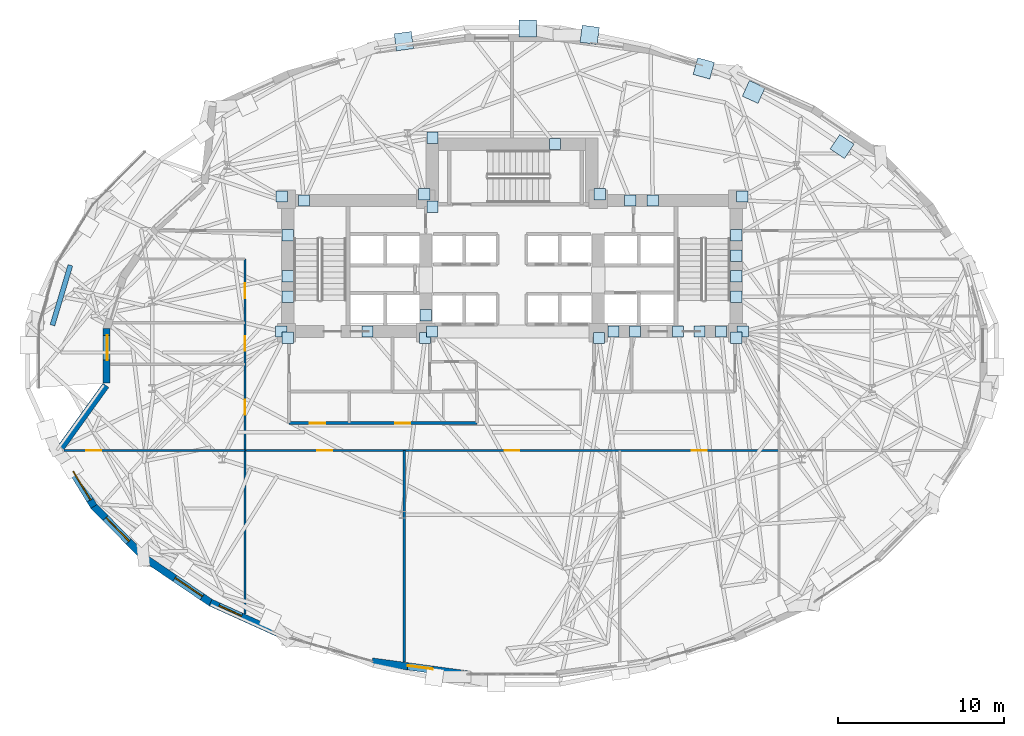
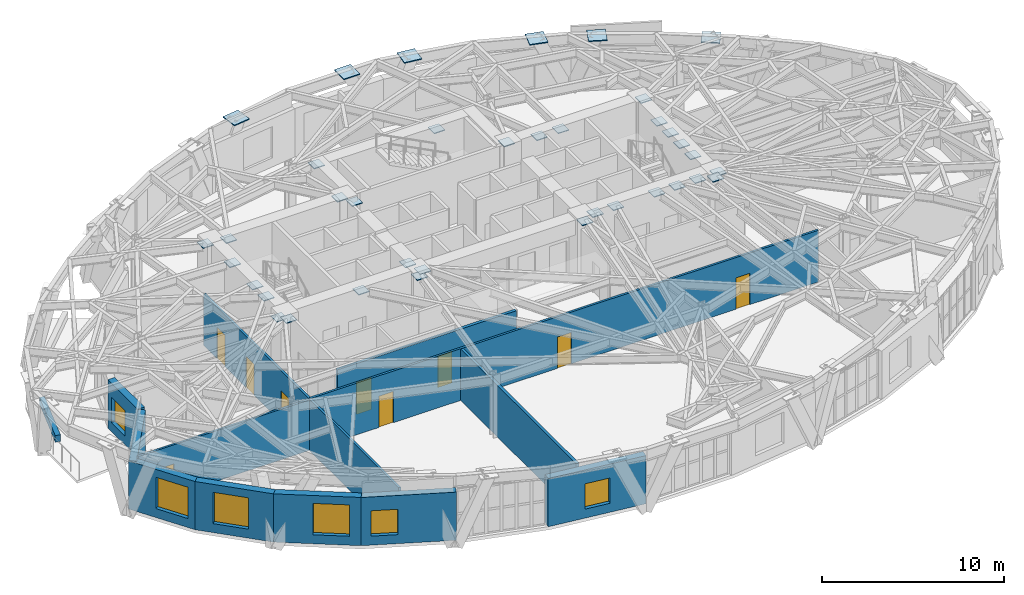
# One storey, part 12 of 20: 37 plates, 13 walls, 9 doors, 6 windows, 15 openings.
"""IFC4 building model written with IfcOpenShell, lengths in metres."""

from ifc_helpers import new_model, si_unit, direction, frame, frame_2d, origin, origin_2d, place, context, subcontext, project, spatial, rectangle, extrude, material, layer, layer_set, type_object, element, fill, save


model = new_model("IFC4")

# Units and contexts
model_context = context("Model", 3, precision=1e-05, world=origin(), true_north=direction((0.0, 1.0)))
body_context = subcontext(model_context, "Body", "Model", "MODEL_VIEW")
ifc_project = project(units=[si_unit("LENGTHUNIT", "METRE"), si_unit("AREAUNIT", "SQUARE_METRE"), si_unit("VOLUMEUNIT", "CUBIC_METRE"), si_unit("PLANEANGLEUNIT", "RADIAN"), si_unit("MASSUNIT", "GRAM", prefix="KILO")], contexts=[model_context])

# Site, building, storey
site_placement = place(None, origin())
site = spatial("IfcSite", under=ifc_project, at=site_placement, CompositionType="ELEMENT")
building_placement = place(site_placement, origin())
building = spatial("IfcBuilding", under=site, at=building_placement, Name="Keldmark Tower", CompositionType="ELEMENT")
storey_placement = place(building_placement, frame((0.0, 0.0, 81.89990234375)))
storey = spatial("IfcBuildingStorey", under=building, at=storey_placement, Name="L21", CompositionType="ELEMENT", Elevation=81.89990234375)

# Plates
ifc_material_1 = material(Name="Steel ASTM A572 Grade 50", Category="steel")
ifc_layer_1 = layer(ifc_material_1, 0.06005859375)
ifc_layer_set_1 = layer_set([ifc_layer_1], Name="Steel ASTM A572 Grade 50")
plate_type_1 = type_object("IfcPlateType", Name="Belt Truss Kink Node Assembly KN01 60 mm", PredefinedType="USERDEFINED", material=ifc_layer_set_1)
for number, where, z_axis, x_axis, name in (
    (1, (13.91162109375, 1.473388671875, 3.7080078125), (0.0, 0.0, 1.0), (1.0, 0.0, 0.0), "L21 Core Wall Cast-In Embed Plate 557"),
    (2, (13.878173828125, 9.608154296875, 3.7080078125), (0.0, 0.0, 1.0), (1.0, 0.0, 0.0), "L21 Core Wall Cast-In Embed Plate 558"),
    (3, (5.28515625, 9.758544921875, 3.7080078125), (0.0, 0.0, 1.0), (1.0, 0.0, 0.0), "L21 Core Wall Cast-In Embed Plate 559"),
    (4, (-5.28515625, 9.758544921875, 3.7080078125), (0.0, 0.0, 1.0), (1.0, 0.0, 0.0), "L21 Core Wall Cast-In Embed Plate 560"),
    (5, (-13.878173828125, 9.608154296875, 3.7080078125), (0.0, 0.0, 1.0), (1.0, 0.0, 0.0), "L21 Core Wall Cast-In Embed Plate 561"),
    (6, (-13.91162109375, 1.473388671875, 3.7080078125), (0.0, 0.0, 1.0), (1.0, 0.0, 0.0), "L21 Core Wall Cast-In Embed Plate 562"),
    (7, (-5.24072265625, 1.08251953125, 3.7080078125), (0.0, 0.0, 1.0), (1.0, 0.0, 0.0), "L21 Core Wall Cast-In Embed Plate 563"),
    (8, (5.24072265625, 1.08251953125, 3.7080078125), (0.0, 0.0, 1.0), (1.0, 0.0, 0.0), "L21 Core Wall Cast-In Embed Plate 564"),
    (9, (-4.800048828125, 9.0, 3.71435546875), (0.0, 0.0, 1.0), (1.0, 0.0, 0.0), "L21 Core Wall Cast-In Embed Plate 565"),
    (10, (-4.800048828125, 13.14990234375, 3.71435546875), (0.0, 0.0, 1.0), (1.0, 0.0, 0.0), "L21 Core Wall Cast-In Embed Plate 566"),
    (11, (13.52490234375, 4.80712890625, 3.71435546875), (0.0, 0.0, 1.0), (1.0, 0.0, 0.0), "L21 Core Wall Cast-In Embed Plate 567"),
    (12, (-13.52490234375, 4.80712890625, 3.71435546875), (0.0, 0.0, 1.0), (1.0, 0.0, 0.0), "L21 Core Wall Cast-In Embed Plate 568"),
    (13, (12.603515625, 1.47509765625, 3.71435546875), (0.0, 0.0, 1.0), (1.0, 0.0, 0.0), "L21 Core Wall Cast-In Embed Plate 569"),
    (14, (13.52490234375, 3.5712890625, 3.71435546875), (0.0, 0.0, 1.0), (1.0, 0.0, 0.0), "L21 Core Wall Cast-In Embed Plate 570"),
    (15, (13.52490234375, 7.278564453125, 3.71435546875), (0.0, 0.0, 1.0), (1.0, 0.0, 0.0), "L21 Core Wall Cast-In Embed Plate 571"),
    (16, (-12.54638671875, 9.375, 3.71435546875), (0.0, 0.0, 1.0), (1.0, 0.0, 0.0), "L21 Core Wall Cast-In Embed Plate 572"),
    (17, (-13.52490234375, 7.278564453125, 3.71435546875), (0.0, 0.0, 1.0), (1.0, 0.0, 0.0), "L21 Core Wall Cast-In Embed Plate 573"),
    (18, (-13.52490234375, 3.5712890625, 3.71435546875), (0.0, 0.0, 1.0), (1.0, 0.0, 0.0), "L21 Core Wall Cast-In Embed Plate 574"),
    (19, (6.121337890625, 1.47509765625, 3.71435546875), (0.0, 0.0, 1.0), (1.0, 0.0, 0.0), "L21 Core Wall Cast-In Embed Plate 575"),
    (20, (-5.199951171875, 2.449951171875, 3.71435546875), (0.0, 0.0, 1.0), (1.0, 0.0, 0.0), "L21 Core Wall Cast-In Embed Plate 576"),
    (21, (11.30712890625, 1.47509765625, 3.71435546875), (0.0, 0.0, 1.0), (1.0, 0.0, 0.0), "L21 Core Wall Cast-In Embed Plate 577"),
    (22, (10.0107421875, 1.47509765625, 3.71435546875), (0.0, 0.0, 1.0), (1.0, 0.0, 0.0), "L21 Core Wall Cast-In Embed Plate 578"),
    (23, (13.52490234375, 1.10009765625, 3.71435546875), (0.0, 0.0, 1.0), (1.0, 0.0, 0.0), "L21 Core Wall Cast-In Embed Plate 579"),
    (24, (-4.824951171875, 1.47509765625, 3.71435546875), (0.0, 0.0, 1.0), (1.0, 0.0, 0.0), "L21 Core Wall Cast-In Embed Plate 580"),
    (25, (13.52490234375, 6.04296875, 3.71435546875), (0.0, 0.0, 1.0), (1.0, 0.0, 0.0), "L21 Core Wall Cast-In Embed Plate 581"),
    (26, (8.485595703125, 9.375, 3.71435546875), (0.0, 0.0, 1.0), (1.0, 0.0, 0.0), "L21 Core Wall Cast-In Embed Plate 582"),
    (27, (7.132080078125, 9.375, 3.71435546875), (0.0, 0.0, 1.0), (1.0, 0.0, 0.0), "L21 Core Wall Cast-In Embed Plate 583"),
    (28, (2.58740234375, 12.77490234375, 3.71435546875), (0.0, 0.0, 1.0), (1.0, 0.0, 0.0), "L21 Core Wall Cast-In Embed Plate 584"),
    (29, (-13.52490234375, 1.10009765625, 3.71435546875), (0.0, 0.0, 1.0), (1.0, 0.0, 0.0), "L21 Core Wall Cast-In Embed Plate 585"),
    (30, (7.41796875, 1.47509765625, 3.71435546875), (0.0, 0.0, 1.0), (1.0, 0.0, 0.0), "L21 Core Wall Cast-In Embed Plate 586"),
    (31, (-8.71435546875, 1.47509765625, 3.71435546875), (0.0, 0.0, 1.0), (1.0, 0.0, 0.0), "L21 Core Wall Cast-In Embed Plate 587"),
):
    element("IfcPlate", number, at=place(storey_placement, frame(where, z_axis=z_axis, x_axis=x_axis)), inside=storey, type_object=plate_type_1, Name=name, ObjectType="CAP PLATE", PredefinedType="USERDEFINED", context=body_context, shape_type="SweptSolid", body=[
        extrude(rectangle(XDim=0.679931640625, YDim=0.679931640625, at=origin_2d()), origin(), (0.0, 0.0, 1.0), 0.054931640625),
    ])
ifc_material_2 = material(Name="Steel ASTM A572 Grade 50", Category="steel")
ifc_layer_2 = layer(ifc_material_2, 0.06494140625)
ifc_layer_set_2 = layer_set([ifc_layer_2], Name="Steel ASTM A572 Grade 50")
plate_type_2 = type_object("IfcPlateType", Name="Diagrid Node Assembly DN02 65 mm", PredefinedType="USERDEFINED", material=ifc_layer_set_2)
for number, where, z_axis, x_axis, name in (
    (32, (19.90478515625, 12.62548828125, 3.857666015625), (0.0, 0.0, 1.0), (-0.828060334622, 0.560638994563, 0.0), "L21 Diagrid Node Assembly 04"),
    (33, (14.57568359375, 15.91845703125, 3.857666015625), (0.0, 0.0, 1.0), (-0.911115763336, 0.41215053779, 0.0), "L21 Diagrid Node Assembly 05"),
    (34, (11.564453125, 17.337890625, 3.857666015625), (0.0, 0.0, 1.0), (-0.962833300518, 0.270096344686, 0.0), "L21 Diagrid Node Assembly 06"),
    (35, (4.68408203125, 19.361328125, 3.857666015625), (0.0, 0.0, 1.0), (-0.991053218872, 0.133467289485, 0.0), "L21 Diagrid Node Assembly 07"),
    (36, (0.952880859375, 19.738037109375, 3.857666015625), (0.0, 0.0, 1.0), (-1.0, 0.0, 0.0), "L21 Diagrid Node Assembly 08"),
    (37, (-6.520751953125, 18.980224609375, 3.857666015625), (0.0, 0.0, 1.0), (-0.991053218872, -0.133467289485, 0.0), "L21 Diagrid Node Assembly 09"),
):
    element("IfcPlate", number, at=place(storey_placement, frame(where, z_axis=z_axis, x_axis=x_axis)), inside=storey, type_object=plate_type_2, Name=name, ObjectType="GUSSET", PredefinedType="USERDEFINED", context=body_context, shape_type="SweptSolid", body=[
        extrude(rectangle(XDim=1.0400390625, YDim=1.0400390625, at=origin_2d()), origin(), (0.0, 0.0, 1.0), 0.06494140625),
    ])

# Wall, openings, doors
ifc_material_3 = material(Name="Acoustic Double-Layer Gypsum Corridor Partition", Category="gypsum")
ifc_layer_3 = layer(ifc_material_3, 0.139892578125)
ifc_layer_set_3 = layer_set([ifc_layer_3], Name="Acoustic Double-Layer Gypsum Corridor Partition")
wall_type_1 = type_object("IfcWallType", Name="Acoustic Corridor Partition 140 mm", PredefinedType="PARTITIONING", material=ifc_layer_set_3)
wall_1_placement = place(storey_placement, frame((-16.10009765625, -5.699951171875, 0.0), z_axis=(0.0, 0.0, 1.0), x_axis=(1.0, 0.0, 0.0)))
wall_1 = element("IfcWall", 38, at=wall_1_placement, inside=storey, type_object=wall_type_1, Name="L21 Acoustic Corridor Partition 140 mm COR-S", PredefinedType="PARTITIONING", context=body_context, shape_type="SweptSolid", body=[
    extrude(rectangle(XDim=32.2001953125, YDim=0.139892578125, at=frame_2d((16.10009765625, 0.0))), origin(), (0.0, 0.0, 1.0), 3.463134765625),
])
opening_1_placement = place(wall_1_placement, frame((4.35009765625, 0.0, 0.0)))
opening_1 = element("IfcOpeningElement", 39, at=opening_1_placement, cuts=wall_1, Name="Opening D-IN090", PredefinedType="OPENING", context=body_context, shape_type="SweptSolid", body=[
    extrude(rectangle(XDim=0.89990234375, YDim=2.10009765625, at=frame_2d((0.449951171875, 1.050048828125))), frame((0.0, 0.079833984375, 0.0), z_axis=(0.0, -1.0, 0.0), x_axis=(1.0, 0.0, 0.0)), (0.0, 0.0, 1.0), 0.159912109375),
])
opening_2_placement = place(wall_1_placement, frame((15.64990234375, 0.0, 0.0)))
opening_2 = element("IfcOpeningElement", 40, at=opening_2_placement, cuts=wall_1, Name="Opening D-IN090", PredefinedType="OPENING", context=body_context, shape_type="SweptSolid", body=[
    extrude(rectangle(XDim=0.89990234375, YDim=2.10009765625, at=frame_2d((0.449951171875, 1.050048828125))), frame((0.0, 0.079833984375, 0.0), z_axis=(0.0, -1.0, 0.0), x_axis=(1.0, 0.0, 0.0)), (0.0, 0.0, 1.0), 0.159912109375),
])
opening_3_placement = place(wall_1_placement, frame((26.949951171875, 0.0, 0.0)))
opening_3 = element("IfcOpeningElement", 41, at=opening_3_placement, cuts=wall_1, Name="Opening D-IN090", PredefinedType="OPENING", context=body_context, shape_type="SweptSolid", body=[
    extrude(rectangle(XDim=0.89990234375, YDim=2.10009765625, at=frame_2d((0.449951171875, 1.050048828125))), frame((0.0, 0.079833984375, 0.0), z_axis=(0.0, -1.0, 0.0), x_axis=(1.0, 0.0, 0.0)), (0.0, 0.0, 1.0), 0.159912109375),
])
ifc_material_4 = material(Name="Stained American White Oak Veneer", Category="wood")
door_type_1 = type_object("IfcDoorType", Name="Interior Door 900x2100", OperationType="NOTDEFINED", PredefinedType="DOOR", material=ifc_material_4)
door_1_placement = place(opening_1_placement, origin())
door_1 = element("IfcDoor", 42, at=door_1_placement, inside=storey, type_object=door_type_1, Name="L21 Interior Door 900x2100 D-SR-1-L21", OperationType="SINGLE_SWING_LEFT", OverallHeight=2.10009765625, OverallWidth=0.89990234375, PredefinedType="DOOR", context=body_context, shape_type="SweptSolid", body=[
    extrude(rectangle(XDim=0.89990234375, YDim=2.10009765625, at=frame_2d((0.449951171875, 1.050048828125))), frame((0.0, 0.02490234375, 0.0), z_axis=(0.0, -1.0, 0.0), x_axis=(1.0, 0.0, 0.0)), (0.0, 0.0, 1.0), 0.050048828125),
])
fill(opening_1, door_1)
door_2_placement = place(opening_2_placement, origin())
door_2 = element("IfcDoor", 43, at=door_2_placement, inside=storey, type_object=door_type_1, Name="L21 Interior Door 900x2100 D-SR-2-L21", OperationType="SINGLE_SWING_RIGHT", OverallHeight=2.10009765625, OverallWidth=0.89990234375, PredefinedType="DOOR", context=body_context, shape_type="SweptSolid", body=[
    extrude(rectangle(XDim=0.89990234375, YDim=2.10009765625, at=frame_2d((0.449951171875, 1.050048828125))), frame((0.0, 0.02490234375, 0.0), z_axis=(0.0, -1.0, 0.0), x_axis=(1.0, 0.0, 0.0)), (0.0, 0.0, 1.0), 0.050048828125),
])
fill(opening_2, door_2)
door_3_placement = place(opening_3_placement, origin())
door_3 = element("IfcDoor", 44, at=door_3_placement, inside=storey, type_object=door_type_1, Name="L21 Interior Door 900x2100 D-SR-3-L21", OperationType="SINGLE_SWING_LEFT", OverallHeight=2.10009765625, OverallWidth=0.89990234375, PredefinedType="DOOR", context=body_context, shape_type="SweptSolid", body=[
    extrude(rectangle(XDim=0.89990234375, YDim=2.10009765625, at=frame_2d((0.449951171875, 1.050048828125))), frame((0.0, 0.02490234375, 0.0), z_axis=(0.0, -1.0, 0.0), x_axis=(1.0, 0.0, 0.0)), (0.0, 0.0, 1.0), 0.050048828125),
])
fill(opening_3, door_3)

wall_2_placement = place(storey_placement, frame((-16.10009765625, -15.56396484375, 0.0), z_axis=(0.0, 0.0, 1.0), x_axis=(0.0, 1.0, 0.0)))
wall_2 = element("IfcWall", 45, at=wall_2_placement, inside=storey, type_object=wall_type_1, Name="L21 Acoustic Corridor Partition 140 mm COR-W", PredefinedType="PARTITIONING", context=body_context, shape_type="SweptSolid", body=[
    extrude(rectangle(XDim=21.4140625, YDim=0.139892578125, at=frame_2d((10.70703125, 0.0))), origin(), (0.0, 0.0, 1.0), 3.451171875),
])
opening_4_placement = place(wall_2_placement, frame((12.01416015625, 0.0, 0.0)))
opening_4 = element("IfcOpeningElement", 46, at=opening_4_placement, cuts=wall_2, Name="Opening D-IN090", PredefinedType="OPENING", context=body_context, shape_type="SweptSolid", body=[
    extrude(rectangle(XDim=0.89990234375, YDim=2.10009765625, at=frame_2d((0.449951171875, 1.050048828125))), frame((0.0, 0.079833984375, 0.0), z_axis=(0.0, -1.0, 0.0), x_axis=(1.0, 0.0, 0.0)), (0.0, 0.0, 1.0), 0.159912109375),
])
opening_5_placement = place(wall_2_placement, frame((15.864013671875, 0.0, 0.0)))
opening_5 = element("IfcOpeningElement", 47, at=opening_5_placement, cuts=wall_2, Name="Opening D-IN090", PredefinedType="OPENING", context=body_context, shape_type="SweptSolid", body=[
    extrude(rectangle(XDim=0.89990234375, YDim=2.10009765625, at=frame_2d((0.449951171875, 1.050048828125))), frame((0.0, 0.079833984375, 0.0), z_axis=(0.0, -1.0, 0.0), x_axis=(1.0, 0.0, 0.0)), (0.0, 0.0, 1.0), 0.159912109375),
])
opening_6_placement = place(wall_2_placement, frame((19.0390625, 0.0, 0.0)))
opening_6 = element("IfcOpeningElement", 48, at=opening_6_placement, cuts=wall_2, Name="Opening D-IN090", PredefinedType="OPENING", context=body_context, shape_type="SweptSolid", body=[
    extrude(rectangle(XDim=0.89990234375, YDim=2.10009765625, at=frame_2d((0.449951171875, 1.050048828125))), frame((0.0, 0.079833984375, 0.0), z_axis=(0.0, -1.0, 0.0), x_axis=(1.0, 0.0, 0.0)), (0.0, 0.0, 1.0), 0.159912109375),
])
door_4_placement = place(opening_4_placement, origin())
door_4 = element("IfcDoor", 49, at=door_4_placement, inside=storey, type_object=door_type_1, Name="L21 Interior Door 900x2100 D-WR-1-L21", OperationType="SINGLE_SWING_RIGHT", OverallHeight=2.10009765625, OverallWidth=0.89990234375, PredefinedType="DOOR", context=body_context, shape_type="SweptSolid", body=[
    extrude(rectangle(XDim=0.89990234375, YDim=2.10009765625, at=frame_2d((0.449951171875, 1.050048828125))), frame((0.0, 0.02490234375, 0.0), z_axis=(0.0, -1.0, 0.0), x_axis=(1.0, 0.0, 0.0)), (0.0, 0.0, 1.0), 0.050048828125),
])
fill(opening_4, door_4)
door_5_placement = place(opening_5_placement, origin())
door_5 = element("IfcDoor", 50, at=door_5_placement, inside=storey, type_object=door_type_1, Name="L21 Interior Door 900x2100 D-WR-2-L21", OperationType="SINGLE_SWING_RIGHT", OverallHeight=2.10009765625, OverallWidth=0.89990234375, PredefinedType="DOOR", context=body_context, shape_type="SweptSolid", body=[
    extrude(rectangle(XDim=0.89990234375, YDim=2.10009765625, at=frame_2d((0.449951171875, 1.050048828125))), frame((0.0, 0.02490234375, 0.0), z_axis=(0.0, -1.0, 0.0), x_axis=(1.0, 0.0, 0.0)), (0.0, 0.0, 1.0), 0.050048828125),
])
fill(opening_5, door_5)
door_6_placement = place(opening_6_placement, origin())
door_6 = element("IfcDoor", 51, at=door_6_placement, inside=storey, type_object=door_type_1, Name="L21 Interior Door 900x2100 D-WR-3-L21", OperationType="SINGLE_SWING_LEFT", OverallHeight=2.10009765625, OverallWidth=0.89990234375, PredefinedType="DOOR", context=body_context, shape_type="SweptSolid", body=[
    extrude(rectangle(XDim=0.89990234375, YDim=2.10009765625, at=frame_2d((0.449951171875, 1.050048828125))), frame((0.0, 0.02490234375, 0.0), z_axis=(0.0, -1.0, 0.0), x_axis=(1.0, 0.0, 0.0)), (0.0, 0.0, 1.0), 0.050048828125),
])
fill(opening_6, door_6)

# Wall
ifc_material_5 = material(Name="STC-58 Insulated Tenant Demising Gypsum Partition", Category="gypsum")
ifc_layer_4 = layer(ifc_material_5, 0.175048828125)
ifc_layer_set_4 = layer_set([ifc_layer_4], Name="STC-58 Insulated Tenant Demising Gypsum Partition")
wall_type_2 = type_object("IfcWallType", Name="Demising Suite Partition 175 mm", PredefinedType="PARTITIONING", material=ifc_layer_set_4)
wall_3_placement = place(storey_placement, frame((-6.5, -18.458740234375, 0.0), z_axis=(0.0, 0.0, 1.0), x_axis=(0.0, 1.0, 0.0)))
element("IfcWall", 52, at=wall_3_placement, inside=storey, type_object=wall_type_2, Name="L21 Demising Suite Partition 175 mm S-DIV-1", PredefinedType="PARTITIONING", context=body_context, shape_type="SweptSolid", body=[
    extrude(rectangle(XDim=12.7587890625, YDim=0.175048828125, at=frame_2d((6.37939453125, 0.0))), origin(), (0.0, 0.0, 1.0), 3.451171875),
])

# Wall, openings, doors
ifc_material_6 = material(Name="Heavy Acoustic Plumbing Chase Gypsum Assembly", Category="gypsum")
ifc_layer_5 = layer(ifc_material_6, 0.18994140625)
ifc_layer_set_5 = layer_set([ifc_layer_5], Name="Heavy Acoustic Plumbing Chase Gypsum Assembly")
wall_type_3 = type_object("IfcWallType", Name="Heavy Wet Wall 190 mm", PredefinedType="PLUMBINGWALL", material=ifc_layer_set_5)
wall_4_placement = place(storey_placement, frame((-13.449951171875, -4.050048828125, 0.0), z_axis=(0.0, 0.0, 1.0), x_axis=(1.0, 0.0, 0.0)))
wall_4 = element("IfcWall", 53, at=wall_4_placement, inside=storey, type_object=wall_type_3, Name="L21 Heavy Wet Wall 190 mm SPK-W-S", PredefinedType="PLUMBINGWALL", context=body_context, shape_type="SweptSolid", body=[
    extrude(rectangle(XDim=11.349853515625, YDim=0.18994140625, at=frame_2d((5.6748046875, 0.0))), origin(), (0.0, 0.0, 1.0), 3.463134765625),
])
opening_7_placement = place(wall_4_placement, frame((1.25, 0.0, 0.0)))
opening_7 = element("IfcOpeningElement", 54, at=opening_7_placement, cuts=wall_4, Name="Opening D-AWC95", PredefinedType="OPENING", context=body_context, shape_type="SweptSolid", body=[
    extrude(rectangle(XDim=0.949951171875, YDim=2.14990234375, at=frame_2d((0.47509765625, 1.074951171875))), frame((0.0, 0.10498046875, 0.0), z_axis=(0.0, -1.0, 0.0), x_axis=(1.0, 0.0, 0.0)), (0.0, 0.0, 1.0), 0.2099609375),
])
opening_8_placement = place(wall_4_placement, frame((6.39990234375, 0.0, 0.0)))
opening_8 = element("IfcOpeningElement", 55, at=opening_8_placement, cuts=wall_4, Name="Opening D-IN090", PredefinedType="OPENING", context=body_context, shape_type="SweptSolid", body=[
    extrude(rectangle(XDim=0.89990234375, YDim=2.10009765625, at=frame_2d((0.449951171875, 1.050048828125))), frame((0.0, 0.10498046875, 0.0), z_axis=(0.0, -1.0, 0.0), x_axis=(1.0, 0.0, 0.0)), (0.0, 0.0, 1.0), 0.2099609375),
])
ifc_material_7 = material(Name="Painted Solid-Core Architectural Wood", Category="wood")
door_type_2 = type_object("IfcDoorType", Name="Accessible WC Door 950x2150", OperationType="NOTDEFINED", PredefinedType="DOOR", material=ifc_material_7)
door_7_placement = place(opening_7_placement, origin())
door_7 = element("IfcDoor", 56, at=door_7_placement, inside=storey, type_object=door_type_2, Name="L21 Accessible WC Door 950x2150 D-SPKW1-L21", OperationType="SINGLE_SWING_RIGHT", OverallHeight=2.14990234375, OverallWidth=0.949951171875, PredefinedType="DOOR", context=body_context, shape_type="SweptSolid", body=[
    extrude(rectangle(XDim=0.949951171875, YDim=2.14990234375, at=frame_2d((0.47509765625, 1.074951171875))), frame((0.0, 0.02490234375, 0.0), z_axis=(0.0, -1.0, 0.0), x_axis=(1.0, 0.0, 0.0)), (0.0, 0.0, 1.0), 0.050048828125),
])
fill(opening_7, door_7)
door_8_placement = place(opening_8_placement, origin())
door_8 = element("IfcDoor", 57, at=door_8_placement, inside=storey, type_object=door_type_1, Name="L21 Interior Door 900x2100 D-SPKW2-L21", OperationType="SINGLE_SWING_RIGHT", OverallHeight=2.10009765625, OverallWidth=0.89990234375, PredefinedType="DOOR", context=body_context, shape_type="SweptSolid", body=[
    extrude(rectangle(XDim=0.89990234375, YDim=2.10009765625, at=frame_2d((0.449951171875, 1.050048828125))), frame((0.0, 0.02490234375, 0.0), z_axis=(0.0, -1.0, 0.0), x_axis=(1.0, 0.0, 0.0)), (0.0, 0.0, 1.0), 0.050048828125),
])
fill(opening_8, door_8)

# Wall, opening, door
ifc_material_8 = material(Name="Acoustic Gypsum Board Interior Partition", Category="gypsum")
ifc_layer_6 = layer(ifc_material_8, 0.1298828125)
ifc_layer_set_6 = layer_set([ifc_layer_6], Name="Acoustic Gypsum Board Interior Partition")
wall_type_4 = type_object("IfcWallType", Name="Interior Partition 130 mm", PredefinedType="PARTITIONING", material=ifc_layer_set_6)
wall_5_placement = place(storey_placement, frame((-27.010498046875, -5.699951171875, 0.0), z_axis=(0.0, 0.0, 1.0), x_axis=(1.0, 0.0, 0.0)))
wall_5 = element("IfcWall", 58, at=wall_5_placement, inside=storey, type_object=wall_type_4, Name="L21 Interior Partition 130 mm W-CAP-S", PredefinedType="PARTITIONING", context=body_context, shape_type="SweptSolid", body=[
    extrude(rectangle(XDim=10.910400390625, YDim=0.1298828125, at=frame_2d((5.455078125, 0.0))), origin(), (0.0, 0.0, 1.0), 3.38818359375),
])
opening_9_placement = place(wall_5_placement, frame((1.35009765625, 0.0, 0.0)))
opening_9 = element("IfcOpeningElement", 59, at=opening_9_placement, cuts=wall_5, Name="Opening D-IN090", PredefinedType="OPENING", context=body_context, shape_type="SweptSolid", body=[
    extrude(rectangle(XDim=0.89990234375, YDim=2.10009765625, at=frame_2d((0.449951171875, 1.050048828125))), frame((0.0, 0.074951171875, 0.0), z_axis=(0.0, -1.0, 0.0), x_axis=(1.0, 0.0, 0.0)), (0.0, 0.0, 1.0), 0.14990234375),
])
door_9_placement = place(opening_9_placement, origin())
door_9 = element("IfcDoor", 60, at=door_9_placement, inside=storey, type_object=door_type_1, Name="L21 Interior Door 900x2100 D-WRSW-L21", OperationType="SINGLE_SWING_LEFT", OverallHeight=2.10009765625, OverallWidth=0.89990234375, PredefinedType="DOOR", context=body_context, shape_type="SweptSolid", body=[
    extrude(rectangle(XDim=0.89990234375, YDim=2.10009765625, at=frame_2d((0.449951171875, 1.050048828125))), frame((0.0, 0.02490234375, 0.0), z_axis=(0.0, -1.0, 0.0), x_axis=(1.0, 0.0, 0.0)), (0.0, 0.0, 1.0), 0.050048828125),
])
fill(opening_9, door_9)

# Wall
ifc_material_9 = material(Name="Ironspot Manganese Brick Planter Masonry", Category="masonry")
ifc_layer_7 = layer(ifc_material_9, 0.300048828125)
ifc_layer_set_7 = layer_set([ifc_layer_7], Name="Ironspot Manganese Brick Planter Masonry")
wall_type_5 = type_object("IfcWallType", Name="Terrace Brick Planter Kerb Wall 300 mm", PredefinedType="PARAPET", material=ifc_layer_set_7)
wall_6_placement = place(storey_placement, frame((-26.62939453125, 5.469482421875, 0.0), z_axis=(0.0, 0.0, 1.0), x_axis=(-0.286761226144, -0.958002087252, 0.0)))
element("IfcWall", 61, at=wall_6_placement, inside=storey, type_object=wall_type_5, Name="L21 Sky Garden Planter 03", PredefinedType="PARAPET", context=body_context, shape_type="SweptSolid", body=[
    extrude(rectangle(XDim=3.780029296875, YDim=0.300048828125, at=frame_2d((1.89013671875, 0.0))), origin(), (0.0, 0.0, 1.0), 0.4501953125),
])

# Wall, opening, window
ifc_material_10 = material(Name="Ironspot Manganese Brick and Kasota Buff Limestone Spandrel Assembly", Category="masonry")
ifc_layer_8 = layer(ifc_material_10, 0.43994140625)
ifc_layer_set_8 = layer_set([ifc_layer_8], Name="Ironspot Manganese Brick and Kasota Buff Limestone Spandrel Assembly")
wall_type_6 = type_object("IfcWallType", Name="Tower Brick Pier and Spandrel Wall 440 mm", PredefinedType="STANDARD", material=ifc_layer_set_8)
wall_7_placement = place(storey_placement, frame((-24.4501953125, -1.64501953125, 0.0), z_axis=(0.0, 0.0, 1.0), x_axis=(0.0, 1.0, 0.0)))
wall_7 = element("IfcWall", 62, at=wall_7_placement, inside=storey, type_object=wall_type_6, Name="L21 Exterior Brick and Spandrel Wall 16", PredefinedType="STANDARD", context=body_context, shape_type="SweptSolid", body=[
    extrude(rectangle(XDim=3.2900390625, YDim=0.43994140625, at=frame_2d((1.64501953125, 0.0))), origin(), (0.0, 0.0, 1.0), 3.232177734375),
])
opening_10_placement = place(wall_7_placement, frame((1.3916015625, 0.0, 0.60009765625)))
opening_10 = element("IfcOpeningElement", 63, at=opening_10_placement, cuts=wall_7, Name="Opening W-03", PredefinedType="OPENING", context=body_context, shape_type="SweptSolid", body=[
    extrude(rectangle(XDim=1.5, YDim=1.699951171875, at=frame_2d((0.75, 0.85009765625))), frame((0.0, 0.22998046875, 0.0), z_axis=(0.0, -1.0, 0.0), x_axis=(1.0, 0.0, 0.0)), (0.0, 0.0, 1.0), 0.4599609375),
])
ifc_material_11 = material(Name="Thermally Broken Anodized Aluminum and Triple Low-E Argon Glazing", Category="aluminium")
window_type_1 = type_object("IfcWindowType", Name="Office Corner Deep-Set Window 1500x1700", PartitioningType="DOUBLE_PANEL_VERTICAL", PredefinedType="WINDOW", material=ifc_material_11)
window_1_placement = place(opening_10_placement, origin())
window_1 = element("IfcWindow", 64, at=window_1_placement, inside=storey, type_object=window_type_1, Name="L21 Deep-Set Window 16", OverallHeight=1.699951171875, OverallWidth=1.5, PartitioningType="SINGLE_PANEL", PredefinedType="WINDOW", context=body_context, shape_type="SweptSolid", body=[
    extrude(rectangle(XDim=1.5, YDim=1.699951171875, at=frame_2d((0.75, 0.85009765625))), frame((0.0, -0.010009765625, 0.0), z_axis=(0.0, -1.0, 0.0), x_axis=(1.0, 0.0, 0.0)), (0.0, 0.0, 1.0), 0.06005859375),
])
fill(opening_10, window_1)

# Wall
wall_8_placement = place(storey_placement, frame((-27.38134765625, -5.7890625, 0.0), z_axis=(0.0, 0.0, 1.0), x_axis=(0.584114899474, 0.811670982734, 0.0)))
element("IfcWall", 65, at=wall_8_placement, inside=storey, type_object=wall_type_6, Name="L21 Exterior Brick and Spandrel Wall 17", PredefinedType="STANDARD", context=body_context, shape_type="SweptSolid", body=[
    extrude(rectangle(XDim=4.947021484375, YDim=0.43994140625, at=frame_2d((2.4736328125, 0.0))), origin(), (0.0, 0.0, 1.0), 3.232177734375),
])

# Wall, opening, window
wall_9_placement = place(storey_placement, frame((-25.211669921875, -9.077392578125, 0.0), z_axis=(0.0, 0.0, 1.0), x_axis=(-0.521891226532, 0.85301204427, 0.0)))
wall_9 = element("IfcWall", 66, at=wall_9_placement, inside=storey, type_object=wall_type_6, Name="L21 Exterior Brick and Spandrel Wall 18", PredefinedType="STANDARD", context=body_context, shape_type="SweptSolid", body=[
    extrude(rectangle(XDim=4.14013671875, YDim=0.43994140625, at=frame_2d((2.070068359375, 0.0))), origin(), (0.0, 0.0, 1.0), 3.22802734375),
])
opening_11_placement = place(wall_9_placement, frame((0.448486328125, 0.0, 0.60009765625)))
opening_11 = element("IfcOpeningElement", 67, at=opening_11_placement, cuts=wall_9, Name="Opening W-06", PredefinedType="OPENING", context=body_context, shape_type="SweptSolid", body=[
    extrude(rectangle(XDim=2.0, YDim=2.10009765625, at=frame_2d((1.0, 1.050048828125))), frame((0.0, 0.22998046875, 0.0), z_axis=(0.0, -1.0, 0.0), x_axis=(1.0, 0.0, 0.0)), (0.0, 0.0, 1.0), 0.4599609375),
])
ifc_material_12 = material(Name="Thermally Broken Anodized Aluminum and Triple Low-E Argon Glazing", Category="aluminium")
window_type_2 = type_object("IfcWindowType", Name="Sky Lounge Tall Punched Window 2000x2100", PartitioningType="SINGLE_PANEL", PredefinedType="WINDOW", material=ifc_material_12)
window_2_placement = place(opening_11_placement, origin())
window_2 = element("IfcWindow", 68, at=window_2_placement, inside=storey, type_object=window_type_2, Name="L21 Deep-Set Window 18", OverallHeight=2.10009765625, OverallWidth=2.0, PartitioningType="SINGLE_PANEL", PredefinedType="WINDOW", context=body_context, shape_type="SweptSolid", body=[
    extrude(rectangle(XDim=2.0, YDim=2.10009765625, at=frame_2d((1.0, 1.050048828125))), frame((0.0, -0.010009765625, 0.0), z_axis=(0.0, -1.0, 0.0), x_axis=(1.0, 0.0, 0.0)), (0.0, 0.0, 1.0), 0.06005859375),
])
fill(opening_11, window_2)

wall_10_placement = place(storey_placement, frame((-22.106201171875, -12.21630859375, 0.0), z_axis=(0.0, 0.0, 1.0), x_axis=(-0.702361901729, 0.711820032733, 0.0)))
wall_10 = element("IfcWall", 69, at=wall_10_placement, inside=storey, type_object=wall_type_6, Name="L21 Exterior Brick and Spandrel Wall 19", PredefinedType="STANDARD", context=body_context, shape_type="SweptSolid", body=[
    extrude(rectangle(XDim=4.465576171875, YDim=0.43994140625, at=frame_2d((2.23291015625, 0.0))), origin(), (0.0, 0.0, 1.0), 3.232177734375),
])
opening_12_placement = place(wall_10_placement, frame((1.429443359375, 0.0, 0.60009765625)))
opening_12 = element("IfcOpeningElement", 70, at=opening_12_placement, cuts=wall_10, Name="Opening W-06", PredefinedType="OPENING", context=body_context, shape_type="SweptSolid", body=[
    extrude(rectangle(XDim=2.0, YDim=2.10009765625, at=frame_2d((1.0, 1.050048828125))), frame((0.0, 0.22998046875, 0.0), z_axis=(0.0, -1.0, 0.0), x_axis=(1.0, 0.0, 0.0)), (0.0, 0.0, 1.0), 0.4599609375),
])
window_3_placement = place(opening_12_placement, origin())
window_3 = element("IfcWindow", 71, at=window_3_placement, inside=storey, type_object=window_type_2, Name="L21 Deep-Set Window 19", OverallHeight=2.10009765625, OverallWidth=2.0, PartitioningType="SINGLE_PANEL", PredefinedType="WINDOW", context=body_context, shape_type="SweptSolid", body=[
    extrude(rectangle(XDim=2.0, YDim=2.10009765625, at=frame_2d((1.0, 1.050048828125))), frame((0.0, -0.010009765625, 0.0), z_axis=(0.0, -1.0, 0.0), x_axis=(1.0, 0.0, 0.0)), (0.0, 0.0, 1.0), 0.06005859375),
])
fill(opening_12, window_3)

wall_11_placement = place(storey_placement, frame((-18.147216796875, -14.8916015625, 0.0), z_axis=(0.0, 0.0, 1.0), x_axis=(-0.82804003003, 0.560668983151, 0.0)))
wall_11 = element("IfcWall", 72, at=wall_11_placement, inside=storey, type_object=wall_type_6, Name="L21 Exterior Brick and Spandrel Wall 20", PredefinedType="STANDARD", context=body_context, shape_type="SweptSolid", body=[
    extrude(rectangle(XDim=4.8212890625, YDim=0.43994140625, at=frame_2d((2.41064453125, 0.0))), origin(), (0.0, 0.0, 1.0), 3.232177734375),
])
opening_13_placement = place(wall_11_placement, frame((0.644775390625, 0.0, 0.60009765625)))
opening_13 = element("IfcOpeningElement", 73, at=opening_13_placement, cuts=wall_11, Name="Opening W-06", PredefinedType="OPENING", context=body_context, shape_type="SweptSolid", body=[
    extrude(rectangle(XDim=2.0, YDim=2.10009765625, at=frame_2d((1.0, 1.050048828125))), frame((0.0, 0.22998046875, 0.0), z_axis=(0.0, -1.0, 0.0), x_axis=(1.0, 0.0, 0.0)), (0.0, 0.0, 1.0), 0.4599609375),
])
window_4_placement = place(opening_13_placement, origin())
window_4 = element("IfcWindow", 74, at=window_4_placement, inside=storey, type_object=window_type_2, Name="L21 Deep-Set Window 20", OverallHeight=2.10009765625, OverallWidth=2.0, PartitioningType="SINGLE_PANEL", PredefinedType="WINDOW", context=body_context, shape_type="SweptSolid", body=[
    extrude(rectangle(XDim=2.0, YDim=2.10009765625, at=frame_2d((1.0, 1.050048828125))), frame((0.0, -0.010009765625, 0.0), z_axis=(0.0, -1.0, 0.0), x_axis=(1.0, 0.0, 0.0)), (0.0, 0.0, 1.0), 0.06005859375),
])
fill(opening_13, window_4)

wall_12_placement = place(storey_placement, frame((-13.389892578125, -17.040283203125, 0.0), z_axis=(0.0, 0.0, 1.0), x_axis=(-0.911095050479, 0.412196323362, 0.0)))
wall_12 = element("IfcWall", 75, at=wall_12_placement, inside=storey, type_object=wall_type_6, Name="L21 Exterior Brick and Spandrel Wall 21", PredefinedType="STANDARD", context=body_context, shape_type="SweptSolid", body=[
    extrude(rectangle(XDim=5.257080078125, YDim=0.43994140625, at=frame_2d((2.62841796875, 0.0))), origin(), (0.0, 0.0, 1.0), 3.22802734375),
])
opening_14_placement = place(wall_12_placement, frame((3.2119140625, 0.0, 0.60009765625)))
opening_14 = element("IfcOpeningElement", 76, at=opening_14_placement, cuts=wall_12, Name="Opening W-03", PredefinedType="OPENING", context=body_context, shape_type="SweptSolid", body=[
    extrude(rectangle(XDim=1.5, YDim=1.699951171875, at=frame_2d((0.75, 0.85009765625))), frame((0.0, 0.22998046875, 0.0), z_axis=(0.0, -1.0, 0.0), x_axis=(1.0, 0.0, 0.0)), (0.0, 0.0, 1.0), 0.4599609375),
])
window_5_placement = place(opening_14_placement, origin())
window_5 = element("IfcWindow", 77, at=window_5_placement, inside=storey, type_object=window_type_1, Name="L21 Deep-Set Window 21", OverallHeight=1.699951171875, OverallWidth=1.5, PartitioningType="SINGLE_PANEL", PredefinedType="WINDOW", context=body_context, shape_type="SweptSolid", body=[
    extrude(rectangle(XDim=1.5, YDim=1.699951171875, at=frame_2d((0.75, 0.85009765625))), frame((0.0, -0.010009765625, 0.0), z_axis=(0.0, -1.0, 0.0), x_axis=(1.0, 0.0, 0.0)), (0.0, 0.0, 1.0), 0.06005859375),
])
fill(opening_14, window_5)

wall_13_placement = place(storey_placement, frame((-2.6845703125, -19.202880859375, 0.0), z_axis=(0.0, 0.0, 1.0), x_axis=(-0.991045582644, 0.133523979573, 0.0)))
wall_13 = element("IfcWall", 78, at=wall_13_placement, inside=storey, type_object=wall_type_6, Name="L21 Exterior Brick and Spandrel Wall 23", PredefinedType="STANDARD", context=body_context, shape_type="SweptSolid", body=[
    extrude(rectangle(XDim=5.80712890625, YDim=0.43994140625, at=frame_2d((2.903564453125, 0.0))), origin(), (0.0, 0.0, 1.0), 3.22802734375),
])
opening_15_placement = place(wall_13_placement, frame((2.12890625, 0.0, 0.60009765625)))
opening_15 = element("IfcOpeningElement", 79, at=opening_15_placement, cuts=wall_13, Name="Opening W-03", PredefinedType="OPENING", context=body_context, shape_type="SweptSolid", body=[
    extrude(rectangle(XDim=1.5, YDim=1.699951171875, at=frame_2d((0.75, 0.85009765625))), frame((0.0, 0.22998046875, 0.0), z_axis=(0.0, -1.0, 0.0), x_axis=(1.0, 0.0, 0.0)), (0.0, 0.0, 1.0), 0.4599609375),
])
window_6_placement = place(opening_15_placement, origin())
window_6 = element("IfcWindow", 80, at=window_6_placement, inside=storey, type_object=window_type_1, Name="L21 Deep-Set Window 23", OverallHeight=1.699951171875, OverallWidth=1.5, PartitioningType="SINGLE_PANEL", PredefinedType="WINDOW", context=body_context, shape_type="SweptSolid", body=[
    extrude(rectangle(XDim=1.5, YDim=1.699951171875, at=frame_2d((0.75, 0.85009765625))), frame((0.0, -0.010009765625, 0.0), z_axis=(0.0, -1.0, 0.0), x_axis=(1.0, 0.0, 0.0)), (0.0, 0.0, 1.0), 0.06005859375),
])
fill(opening_15, window_6)

save(model, "model.ifc")
